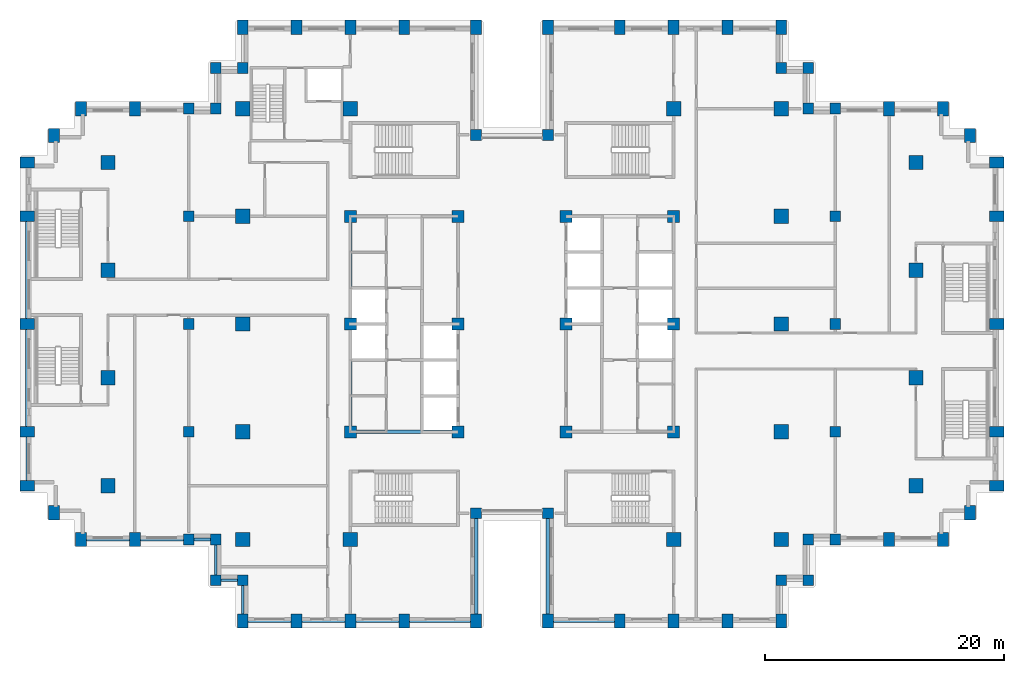
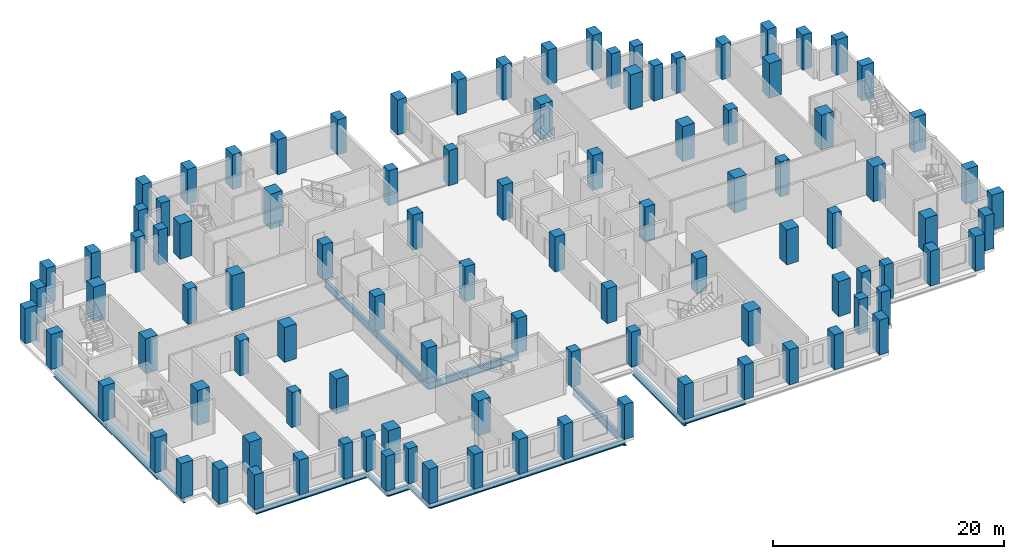
# One storey, part 1 of 15: 102 columns, 19 beams.
"""IFC4 building model written with IfcOpenShell, lengths in metres."""

from ifc_helpers import new_model, si_unit, direction, frame, origin, origin_2d, place, context, subcontext, project, spatial, rectangle, i_section, extrude, material, material_profile, profile_set, type_object, element, save


model = new_model("IFC4")

# Units and contexts
model_context = context("Model", 3, precision=1e-05, world=origin(), true_north=direction((0.0, 1.0)))
body_context = subcontext(model_context, "Body", "Model", "MODEL_VIEW")
ifc_project = project(units=[si_unit("LENGTHUNIT", "METRE"), si_unit("AREAUNIT", "SQUARE_METRE"), si_unit("VOLUMEUNIT", "CUBIC_METRE"), si_unit("PLANEANGLEUNIT", "RADIAN"), si_unit("MASSUNIT", "GRAM", prefix="KILO")], contexts=[model_context])

# Site, building, storey
site_placement = place(None, origin())
site = spatial("IfcSite", under=ifc_project, at=site_placement, CompositionType="ELEMENT")
building_placement = place(site_placement, origin())
building = spatial("IfcBuilding", under=site, at=building_placement, Name="Corbelhall Arena Tower", CompositionType="ELEMENT")
storey_placement = place(building_placement, frame((0.0, 0.0, 80.0)))
storey = spatial("IfcBuildingStorey", under=building, at=storey_placement, Name="L12", CompositionType="ELEMENT", Elevation=80.0)

# Columns
ifc_material_1 = material(Name="Concrete C80/95", Category="concrete")
ifc_material_profile_1 = material_profile(ifc_material_1, rectangle(XDim=1.0, YDim=1.0, at=origin_2d()))
ifc_profile_set_1 = profile_set([ifc_material_profile_1], Name="Concrete C80/95")
column_type_1 = type_object("IfcColumnType", Name="ST-COL-RC 1000x1000", PredefinedType="COLUMN", material=ifc_profile_set_1)
for number, where, z_axis, x_axis, name in (
    (1, (4.5, 0.0, 0.0), (0.0, 0.0, 1.0), (1.0, 0.0, 0.0), "Column KE+0450+0000"),
    (2, (4.5, 9.0, 0.0), (0.0, 0.0, 1.0), (1.0, 0.0, 0.0), "Column KE+0450+0900"),
    (3, (4.5, -9.0, 0.0), (0.0, 0.0, 1.0), (1.0, 0.0, 0.0), "Column KE+0450-0900"),
    (4, (13.5, 0.0, 0.0), (0.0, 0.0, 1.0), (1.0, 0.0, 0.0), "Column KE+1350+0000"),
    (5, (13.5, 9.0, 0.0), (0.0, 0.0, 1.0), (1.0, 0.0, 0.0), "Column KE+1350+0900"),
    (6, (13.5, -9.0, 0.0), (0.0, 0.0, 1.0), (1.0, 0.0, 0.0), "Column KE+1350-0900"),
    (7, (-4.5, 0.0, 0.0), (0.0, 0.0, 1.0), (1.0, 0.0, 0.0), "Column KW-0450+0000"),
    (8, (-4.5, 9.0, 0.0), (0.0, 0.0, 1.0), (1.0, 0.0, 0.0), "Column KW-0450+0900"),
    (9, (-4.5, -9.0, 0.0), (0.0, 0.0, 1.0), (1.0, 0.0, 0.0), "Column KW-0450-0900"),
    (10, (-13.5, 0.0, 0.0), (0.0, 0.0, 1.0), (1.0, 0.0, 0.0), "Column KW-1350+0000"),
    (11, (-13.5, 9.0, 0.0), (0.0, 0.0, 1.0), (1.0, 0.0, 0.0), "Column KW-1350+0900"),
    (12, (-13.5, -9.0, 0.0), (0.0, 0.0, 1.0), (1.0, 0.0, 0.0), "Column KW-1350-0900"),
):
    element("IfcColumn", number, at=place(storey_placement, frame(where, z_axis=z_axis, x_axis=x_axis)), inside=storey, type_object=column_type_1, Name=name, PredefinedType="COLUMN", context=body_context, shape_type="SweptSolid", body=[
        extrude(rectangle(XDim=1.0, YDim=1.0, at=origin_2d()), origin(), (0.0, 0.0, 1.0), 3.699951171875),
    ])
ifc_material_profile_2 = material_profile(ifc_material_1, rectangle(XDim=1.199951171875, YDim=1.199951171875, at=origin_2d()))
ifc_profile_set_2 = profile_set([ifc_material_profile_2], Name="Concrete C80/95")
column_type_2 = type_object("IfcColumnType", Name="ST-COL-RC 1200x1200", PredefinedType="COLUMN", material=ifc_profile_set_2)
for number, where, z_axis, x_axis, name in (
    (13, (-33.75, 4.5, 0.0), (0.0, 0.0, 1.0), (1.0, 0.0, 0.0), "Column FIC+0450"),
    (14, (-33.75, 13.5, 0.0), (0.0, 0.0, 1.0), (1.0, 0.0, 0.0), "Column FIC+1350"),
    (15, (-33.75, -4.5, 0.0), (0.0, 0.0, 1.0), (1.0, 0.0, 0.0), "Column FIC-0450"),
    (16, (-33.75, -13.5, 0.0), (0.0, 0.0, 1.0), (1.0, 0.0, 0.0), "Column FIC-1350"),
    (17, (33.75, 4.5, 0.0), (0.0, 0.0, 1.0), (1.0, 0.0, 0.0), "Column FID+0450"),
    (18, (33.75, 13.5, 0.0), (0.0, 0.0, 1.0), (1.0, 0.0, 0.0), "Column FID+1350"),
    (19, (33.75, -4.5, 0.0), (0.0, 0.0, 1.0), (1.0, 0.0, 0.0), "Column FID-0450"),
    (20, (33.75, -13.5, 0.0), (0.0, 0.0, 1.0), (1.0, 0.0, 0.0), "Column FID-1350"),
    (21, (13.5, 18.0, 0.0), (0.0, 0.0, 1.0), (1.0, 0.0, 0.0), "Column IE13+1800"),
    (22, (13.5, -18.0, 0.0), (0.0, 0.0, 1.0), (1.0, 0.0, 0.0), "Column IE13-1800"),
    (23, (22.5, 0.0, 0.0), (0.0, 0.0, 1.0), (1.0, 0.0, 0.0), "Column IE22+0000"),
    (24, (22.5, 9.0, 0.0), (0.0, 0.0, 1.0), (1.0, 0.0, 0.0), "Column IE22+0900"),
    (25, (22.5, 18.0, 0.0), (0.0, 0.0, 1.0), (1.0, 0.0, 0.0), "Column IE22+1800"),
    (26, (22.5, -9.0, 0.0), (0.0, 0.0, 1.0), (1.0, 0.0, 0.0), "Column IE22-0900"),
    (27, (22.5, -18.0, 0.0), (0.0, 0.0, 1.0), (1.0, 0.0, 0.0), "Column IE22-1800"),
    (28, (-13.5, 18.0, 0.0), (0.0, 0.0, 1.0), (1.0, 0.0, 0.0), "Column IW13+1800"),
    (29, (-13.5, -18.0, 0.0), (0.0, 0.0, 1.0), (1.0, 0.0, 0.0), "Column IW13-1800"),
    (30, (-22.5, 0.0, 0.0), (0.0, 0.0, 1.0), (1.0, 0.0, 0.0), "Column IW22+0000"),
    (31, (-22.5, 9.0, 0.0), (0.0, 0.0, 1.0), (1.0, 0.0, 0.0), "Column IW22+0900"),
    (32, (-22.5, 18.0, 0.0), (0.0, 0.0, 1.0), (1.0, 0.0, 0.0), "Column IW22+1800"),
    (33, (-22.5, -9.0, 0.0), (0.0, 0.0, 1.0), (1.0, 0.0, 0.0), "Column IW22-0900"),
    (34, (-22.5, -18.0, 0.0), (0.0, 0.0, 1.0), (1.0, 0.0, 0.0), "Column IW22-1800"),
):
    element("IfcColumn", number, at=place(storey_placement, frame(where, z_axis=z_axis, x_axis=x_axis)), inside=storey, type_object=column_type_2, Name=name, PredefinedType="COLUMN", context=body_context, shape_type="SweptSolid", body=[
        extrude(rectangle(XDim=1.199951171875, YDim=1.199951171875, at=origin_2d()), origin(), (0.0, 0.0, 1.0), 3.699951171875),
    ])
ifc_material_profile_3 = material_profile(ifc_material_1, rectangle(XDim=0.89990234375, YDim=1.199951171875, at=origin_2d()))
ifc_profile_set_3 = profile_set([ifc_material_profile_3], Name="Concrete C80/95")
column_type_3 = type_object("IfcColumnType", Name="ST-COL-RC 900x1200", PredefinedType="COLUMN", material=ifc_profile_set_3)
for number, where, z_axis, x_axis, name in (
    (35, (-40.5, 0.0, 0.0), (0.0, 0.0, 1.0), (0.0, 1.0, 0.0), "Column FC+0000"),
    (36, (-40.5, 9.0, 0.0), (0.0, 0.0, 1.0), (0.0, 1.0, 0.0), "Column FC+0900"),
    (37, (-40.5, 13.5, 0.0), (0.0, 0.0, 1.0), (0.0, 1.0, 0.0), "Column FC+1350"),
    (38, (-40.5, -9.0, 0.0), (0.0, 0.0, 1.0), (0.0, 1.0, 0.0), "Column FC-0900"),
    (39, (-40.5, -13.5, 0.0), (0.0, 0.0, 1.0), (0.0, 1.0, 0.0), "Column FC-1350"),
    (40, (-38.25, 15.75, 0.0), (0.0, 0.0, 1.0), (1.0, 0.0, 0.0), "Column FCCN"),
    (41, (-38.25, -15.75, 0.0), (0.0, 0.0, 1.0), (1.0, 0.0, 0.0), "Column FCCS"),
    (42, (-31.5, 18.0, 0.0), (0.0, 0.0, 1.0), (1.0, 0.0, 0.0), "Column FCN3150"),
    (43, (-36.0, 18.0, 0.0), (0.0, 0.0, 1.0), (1.0, 0.0, 0.0), "Column FCN3600"),
    (44, (-31.5, -18.0, 0.0), (0.0, 0.0, 1.0), (1.0, 0.0, 0.0), "Column FCS3150"),
    (45, (-36.0, -18.0, 0.0), (0.0, 0.0, 1.0), (1.0, 0.0, 0.0), "Column FCS3600"),
    (46, (40.5, 0.0, 0.0), (0.0, 0.0, 1.0), (0.0, 1.0, 0.0), "Column FD+0000"),
    (47, (40.5, 9.0, 0.0), (0.0, 0.0, 1.0), (0.0, 1.0, 0.0), "Column FD+0900"),
    (48, (40.5, 13.5, 0.0), (0.0, 0.0, 1.0), (0.0, 1.0, 0.0), "Column FD+1350"),
    (49, (40.5, -9.0, 0.0), (0.0, 0.0, 1.0), (0.0, 1.0, 0.0), "Column FD-0900"),
    (50, (40.5, -13.5, 0.0), (0.0, 0.0, 1.0), (0.0, 1.0, 0.0), "Column FD-1350"),
    (51, (38.25, 15.75, 0.0), (0.0, 0.0, 1.0), (1.0, 0.0, 0.0), "Column FDCN"),
    (52, (38.25, -15.75, 0.0), (0.0, 0.0, 1.0), (1.0, 0.0, 0.0), "Column FDCS"),
    (53, (31.5, 18.0, 0.0), (0.0, 0.0, 1.0), (1.0, 0.0, 0.0), "Column FDN3150"),
    (54, (36.0, 18.0, 0.0), (0.0, 0.0, 1.0), (1.0, 0.0, 0.0), "Column FDN3600"),
    (55, (31.5, -18.0, 0.0), (0.0, 0.0, 1.0), (1.0, 0.0, 0.0), "Column FDS3150"),
    (56, (36.0, -18.0, 0.0), (0.0, 0.0, 1.0), (1.0, 0.0, 0.0), "Column FDS3600"),
    (57, (3.0, 24.800048828125, 0.0), (0.0, 0.0, 1.0), (1.0, 0.0, 0.0), "Column PNE0300"),
    (58, (9.0, 24.800048828125, 0.0), (0.0, 0.0, 1.0), (1.0, 0.0, 0.0), "Column PNE0900"),
    (59, (13.5, 24.800048828125, 0.0), (0.0, 0.0, 1.0), (1.0, 0.0, 0.0), "Column PNE1350"),
    (60, (18.0, 24.800048828125, 0.0), (0.0, 0.0, 1.0), (1.0, 0.0, 0.0), "Column PNE1800"),
    (61, (22.5, 24.800048828125, 0.0), (0.0, 0.0, 1.0), (1.0, 0.0, 0.0), "Column PNE2250"),
    (62, (-3.0, 24.800048828125, 0.0), (0.0, 0.0, 1.0), (1.0, 0.0, 0.0), "Column PNW0300"),
    (63, (-9.0, 24.800048828125, 0.0), (0.0, 0.0, 1.0), (1.0, 0.0, 0.0), "Column PNW0900"),
    (64, (-13.5, 24.800048828125, 0.0), (0.0, 0.0, 1.0), (1.0, 0.0, 0.0), "Column PNW1350"),
    (65, (-18.0, 24.800048828125, 0.0), (0.0, 0.0, 1.0), (1.0, 0.0, 0.0), "Column PNW1800"),
    (66, (-22.5, 24.800048828125, 0.0), (0.0, 0.0, 1.0), (1.0, 0.0, 0.0), "Column PNW2250"),
    (67, (3.0, -24.800048828125, 0.0), (0.0, 0.0, 1.0), (1.0, 0.0, 0.0), "Column PSE0300"),
    (68, (9.0, -24.800048828125, 0.0), (0.0, 0.0, 1.0), (1.0, 0.0, 0.0), "Column PSE0900"),
    (69, (13.5, -24.800048828125, 0.0), (0.0, 0.0, 1.0), (1.0, 0.0, 0.0), "Column PSE1350"),
    (70, (18.0, -24.800048828125, 0.0), (0.0, 0.0, 1.0), (1.0, 0.0, 0.0), "Column PSE1800"),
    (71, (22.5, -24.800048828125, 0.0), (0.0, 0.0, 1.0), (1.0, 0.0, 0.0), "Column PSE2250"),
    (72, (-3.0, -24.800048828125, 0.0), (0.0, 0.0, 1.0), (1.0, 0.0, 0.0), "Column PSW0300"),
    (73, (-9.0, -24.800048828125, 0.0), (0.0, 0.0, 1.0), (1.0, 0.0, 0.0), "Column PSW0900"),
    (74, (-13.5, -24.800048828125, 0.0), (0.0, 0.0, 1.0), (1.0, 0.0, 0.0), "Column PSW1350"),
    (75, (-18.0, -24.800048828125, 0.0), (0.0, 0.0, 1.0), (1.0, 0.0, 0.0), "Column PSW1800"),
    (76, (-22.5, -24.800048828125, 0.0), (0.0, 0.0, 1.0), (1.0, 0.0, 0.0), "Column PSW2250"),
):
    element("IfcColumn", number, at=place(storey_placement, frame(where, z_axis=z_axis, x_axis=x_axis)), inside=storey, type_object=column_type_3, Name=name, PredefinedType="COLUMN", context=body_context, shape_type="SweptSolid", body=[
        extrude(rectangle(XDim=0.89990234375, YDim=1.199951171875, at=origin_2d()), origin(), (0.0, 0.0, 1.0), 3.699951171875),
    ])
ifc_material_profile_4 = material_profile(ifc_material_1, rectangle(XDim=0.89990234375, YDim=0.89990234375, at=origin_2d()))
ifc_profile_set_4 = profile_set([ifc_material_profile_4], Name="Concrete C80/95")
column_type_4 = type_object("IfcColumnType", Name="ST-COL-RC 900x900", PredefinedType="COLUMN", material=ifc_profile_set_4)
for number, where, z_axis, x_axis, name in (
    (77, (27.0, 0.0, 0.0), (0.0, 0.0, 1.0), (1.0, 0.0, 0.0), "Column PE+0000"),
    (78, (27.0, 9.0, 0.0), (0.0, 0.0, 1.0), (1.0, 0.0, 0.0), "Column PE+0900"),
    (79, (27.0, 18.0, 0.0), (0.0, 0.0, 1.0), (1.0, 0.0, 0.0), "Column PE+1800"),
    (80, (27.0, -9.0, 0.0), (0.0, 0.0, 1.0), (1.0, 0.0, 0.0), "Column PE-0900"),
    (81, (27.0, -18.0, 0.0), (0.0, 0.0, 1.0), (1.0, 0.0, 0.0), "Column PE-1800"),
    (82, (-27.0, 0.0, 0.0), (0.0, 0.0, 1.0), (1.0, 0.0, 0.0), "Column PW+0000"),
    (83, (-27.0, 9.0, 0.0), (0.0, 0.0, 1.0), (1.0, 0.0, 0.0), "Column PW+0900"),
    (84, (-27.0, 18.0, 0.0), (0.0, 0.0, 1.0), (1.0, 0.0, 0.0), "Column PW+1800"),
    (85, (-27.0, -9.0, 0.0), (0.0, 0.0, 1.0), (1.0, 0.0, 0.0), "Column PW-0900"),
    (86, (-27.0, -18.0, 0.0), (0.0, 0.0, 1.0), (1.0, 0.0, 0.0), "Column PW-1800"),
    (87, (3.0, 15.800048828125, 0.0), (0.0, 0.0, 1.0), (1.0, 0.0, 0.0), "Column SLNE2"),
    (88, (-3.0, 15.800048828125, 0.0), (0.0, 0.0, 1.0), (1.0, 0.0, 0.0), "Column SLNW2"),
    (89, (3.0, -15.800048828125, 0.0), (0.0, 0.0, 1.0), (1.0, 0.0, 0.0), "Column SLSE2"),
    (90, (-3.0, -15.800048828125, 0.0), (0.0, 0.0, 1.0), (1.0, 0.0, 0.0), "Column SLSW2"),
    (91, (22.5, 21.39990234375, 0.0), (0.0, 0.0, 1.0), (1.0, 0.0, 0.0), "Column XNE1"),
    (92, (24.75, 21.39990234375, 0.0), (0.0, 0.0, 1.0), (1.0, 0.0, 0.0), "Column XNE2"),
    (93, (24.75, 18.0, 0.0), (0.0, 0.0, 1.0), (1.0, 0.0, 0.0), "Column XNE3"),
    (94, (-22.5, 21.39990234375, 0.0), (0.0, 0.0, 1.0), (1.0, 0.0, 0.0), "Column XNW1"),
    (95, (-24.75, 21.39990234375, 0.0), (0.0, 0.0, 1.0), (1.0, 0.0, 0.0), "Column XNW2"),
    (96, (-24.75, 18.0, 0.0), (0.0, 0.0, 1.0), (1.0, 0.0, 0.0), "Column XNW3"),
    (97, (22.5, -21.39990234375, 0.0), (0.0, 0.0, 1.0), (1.0, 0.0, 0.0), "Column XSE1"),
    (98, (24.75, -21.39990234375, 0.0), (0.0, 0.0, 1.0), (1.0, 0.0, 0.0), "Column XSE2"),
    (99, (24.75, -18.0, 0.0), (0.0, 0.0, 1.0), (1.0, 0.0, 0.0), "Column XSE3"),
    (100, (-22.5, -21.39990234375, 0.0), (0.0, 0.0, 1.0), (1.0, 0.0, 0.0), "Column XSW1"),
    (101, (-24.75, -21.39990234375, 0.0), (0.0, 0.0, 1.0), (1.0, 0.0, 0.0), "Column XSW2"),
    (102, (-24.75, -18.0, 0.0), (0.0, 0.0, 1.0), (1.0, 0.0, 0.0), "Column XSW3"),
):
    element("IfcColumn", number, at=place(storey_placement, frame(where, z_axis=z_axis, x_axis=x_axis)), inside=storey, type_object=column_type_4, Name=name, PredefinedType="COLUMN", context=body_context, shape_type="SweptSolid", body=[
        extrude(rectangle(XDim=0.89990234375, YDim=0.89990234375, at=origin_2d()), origin(), (0.0, 0.0, 1.0), 3.699951171875),
    ])

# Beams
ifc_material_2 = material(Name="Steel ASTM A992 Gr50", Category="steel")
ifc_material_profile_5 = material_profile(ifc_material_2, i_section(OverallWidth=0.2666015625, OverallDepth=0.761962890625, WebThickness=0.014404296875, FlangeThickness=0.021484375, at=origin_2d()))
ifc_profile_set_5 = profile_set([ifc_material_profile_5], Name="Steel ASTM A992 Gr50")
beam_type_1 = type_object("IfcBeamType", Name="ST-BEAM-W30x116", PredefinedType="BEAM", material=ifc_profile_set_5)
for number, where, z_axis, x_axis, name in (
    (103, (-13.5, -9.0, -0.680908203125), (0.0, 1.0, 0.0), (-1.0, 0.0, 0.0), "Beam CEW 1"),
    (104, (-13.5, 0.0, -0.680908203125), (0.0, 1.0, 0.0), (-1.0, 0.0, 0.0), "Beam CEW 2"),
    (105, (-13.5, -9.0, -0.680908203125), (1.0, 0.0, 0.0), (0.0, 1.0, 0.0), "Beam CEW 5"),
):
    element("IfcBeam", number, at=place(storey_placement, frame(where, z_axis=z_axis, x_axis=x_axis)), inside=storey, type_object=beam_type_1, Name=name, PredefinedType="BEAM", context=body_context, shape_type="SweptSolid", body=[
        extrude(i_section(OverallWidth=0.2666015625, OverallDepth=0.761962890625, WebThickness=0.014404296875, FlangeThickness=0.021484375, at=origin_2d()), origin(), (0.0, 0.0, 1.0), 9.0),
    ])
ifc_material_profile_6 = material_profile(ifc_material_2, i_section(OverallWidth=0.23046875, OverallDepth=0.6171875, WebThickness=0.01318359375, FlangeThickness=0.022216796875, at=origin_2d()))
ifc_profile_set_6 = profile_set([ifc_material_profile_6], Name="Steel ASTM A992 Gr50")
beam_type_2 = type_object("IfcBeamType", Name="ST-SPANDREL-W24x94", PredefinedType="SPANDREL", material=ifc_profile_set_6)
for number, where, z_axis, x_axis, name in (
    (106, (-40.5, -13.5, -0.608642578125), (0.0, 1.0, 0.0), (-1.0, 0.0, 0.0), "Beam SP 4"),
    (107, (-31.5, -18.0, -0.608642578125), (-1.0, 0.0, 0.0), (0.0, -1.0, 0.0), "Beam SP 7"),
):
    element("IfcBeam", number, at=place(storey_placement, frame(where, z_axis=z_axis, x_axis=x_axis)), inside=storey, type_object=beam_type_2, Name=name, PredefinedType="SPANDREL", context=body_context, shape_type="SweptSolid", body=[
        extrude(i_section(OverallWidth=0.23046875, OverallDepth=0.6171875, WebThickness=0.01318359375, FlangeThickness=0.022216796875, at=origin_2d()), origin(), (0.0, 0.0, 1.0), 4.5),
    ])
for number, where, z_axis, x_axis, name in (
    (108, (9.0, -24.800048828125, -0.608642578125), (-1.0, 0.0, 0.0), (0.0, -1.0, 0.0), "Beam SP 28"),
    (109, (-3.0, -24.800048828125, -0.608642578125), (-1.0, 0.0, 0.0), (0.0, -1.0, 0.0), "Beam SP 32"),
):
    element("IfcBeam", number, at=place(storey_placement, frame(where, z_axis=z_axis, x_axis=x_axis)), inside=storey, type_object=beam_type_2, Name=name, PredefinedType="SPANDREL", context=body_context, shape_type="SweptSolid", body=[
        extrude(i_section(OverallWidth=0.23046875, OverallDepth=0.6171875, WebThickness=0.01318359375, FlangeThickness=0.022216796875, at=origin_2d()), origin(), (0.0, 0.0, 1.0), 6.0),
    ])
for number, where, z_axis, x_axis, name in (
    (110, (-9.0, -24.800048828125, -0.608642578125), (-1.0, 0.0, 0.0), (0.0, -1.0, 0.0), "Beam SP 33"),
    (111, (-13.5, -24.800048828125, -0.608642578125), (-1.0, 0.0, 0.0), (0.0, -1.0, 0.0), "Beam SP 34"),
    (112, (-18.0, -24.800048828125, -0.608642578125), (-1.0, 0.0, 0.0), (0.0, -1.0, 0.0), "Beam SP 35"),
):
    element("IfcBeam", number, at=place(storey_placement, frame(where, z_axis=z_axis, x_axis=x_axis)), inside=storey, type_object=beam_type_2, Name=name, PredefinedType="SPANDREL", context=body_context, shape_type="SweptSolid", body=[
        extrude(i_section(OverallWidth=0.23046875, OverallDepth=0.6171875, WebThickness=0.01318359375, FlangeThickness=0.022216796875, at=origin_2d()), origin(), (0.0, 0.0, 1.0), 4.5),
    ])
beam_1_placement = place(storey_placement, frame((-22.5, -24.800048828125, -0.608642578125), z_axis=(0.0, 1.0, 0.0), x_axis=(-1.0, 0.0, 0.0)))
element("IfcBeam", 113, at=beam_1_placement, inside=storey, type_object=beam_type_2, Name="Beam SP 36", PredefinedType="SPANDREL", context=body_context, shape_type="SweptSolid", body=[
    extrude(i_section(OverallWidth=0.23046875, OverallDepth=0.6171875, WebThickness=0.01318359375, FlangeThickness=0.022216796875, at=origin_2d()), origin(), (0.0, 0.0, 1.0), 3.400146484375),
])
beam_2_placement = place(storey_placement, frame((-27.0, -18.0, -0.608642578125), z_axis=(-1.0, 0.0, 0.0), x_axis=(0.0, -1.0, 0.0)))
element("IfcBeam", 114, at=beam_2_placement, inside=storey, type_object=beam_type_2, Name="Beam SP 38", PredefinedType="SPANDREL", context=body_context, shape_type="SweptSolid", body=[
    extrude(i_section(OverallWidth=0.23046875, OverallDepth=0.6171875, WebThickness=0.01318359375, FlangeThickness=0.022216796875, at=origin_2d()), origin(), (0.0, 0.0, 1.0), 4.5),
])
beam_3_placement = place(storey_placement, frame((-22.5, -21.39990234375, -0.608642578125), z_axis=(-1.0, 0.0, 0.0), x_axis=(0.0, -1.0, 0.0)))
element("IfcBeam", 115, at=beam_3_placement, inside=storey, type_object=beam_type_2, Name="Beam SP 52", PredefinedType="SPANDREL", context=body_context, shape_type="SweptSolid", body=[
    extrude(i_section(OverallWidth=0.23046875, OverallDepth=0.6171875, WebThickness=0.01318359375, FlangeThickness=0.022216796875, at=origin_2d()), origin(), (0.0, 0.0, 1.0), 2.25),
])
beam_4_placement = place(storey_placement, frame((-24.75, -21.39990234375, -0.608642578125), z_axis=(0.0, 1.0, 0.0), x_axis=(-1.0, 0.0, 0.0)))
element("IfcBeam", 116, at=beam_4_placement, inside=storey, type_object=beam_type_2, Name="Beam SP 53", PredefinedType="SPANDREL", context=body_context, shape_type="SweptSolid", body=[
    extrude(i_section(OverallWidth=0.23046875, OverallDepth=0.6171875, WebThickness=0.01318359375, FlangeThickness=0.022216796875, at=origin_2d()), origin(), (0.0, 0.0, 1.0), 3.39990234375),
])
beam_5_placement = place(storey_placement, frame((-24.75, -18.0, -0.608642578125), z_axis=(-1.0, 0.0, 0.0), x_axis=(0.0, -1.0, 0.0)))
element("IfcBeam", 117, at=beam_5_placement, inside=storey, type_object=beam_type_2, Name="Beam SP 54", PredefinedType="SPANDREL", context=body_context, shape_type="SweptSolid", body=[
    extrude(i_section(OverallWidth=0.23046875, OverallDepth=0.6171875, WebThickness=0.01318359375, FlangeThickness=0.022216796875, at=origin_2d()), origin(), (0.0, 0.0, 1.0), 2.25),
])
ifc_material_profile_7 = material_profile(ifc_material_2, i_section(OverallWidth=0.2919921875, OverallDepth=0.845703125, WebThickness=0.015380859375, FlangeThickness=0.0244140625, at=origin_2d()))
ifc_profile_set_7 = profile_set([ifc_material_profile_7], Name="Steel ASTM A992 Gr50")
beam_type_3 = type_object("IfcBeamType", Name="ST-SPANDREL-W33x141", PredefinedType="SPANDREL", material=ifc_profile_set_7)
for number, where, z_axis, x_axis, name in (
    (118, (-40.5, 0.0, -0.722900390625), (0.0, 1.0, 0.0), (-1.0, 0.0, 0.0), "Beam SP 1"),
    (119, (-40.5, -9.0, -0.722900390625), (0.0, 1.0, 0.0), (-1.0, 0.0, 0.0), "Beam SP 3"),
    (120, (3.0, -24.800048828125, -0.722900390625), (0.0, 1.0, 0.0), (-1.0, 0.0, 0.0), "Beam SP 27"),
    (121, (-3.0, -15.800048828125, -0.722900390625), (0.0, -1.0, 0.0), (1.0, 0.0, 0.0), "Beam SP 42"),
):
    element("IfcBeam", number, at=place(storey_placement, frame(where, z_axis=z_axis, x_axis=x_axis)), inside=storey, type_object=beam_type_3, Name=name, PredefinedType="SPANDREL", context=body_context, shape_type="SweptSolid", body=[
        extrude(i_section(OverallWidth=0.2919921875, OverallDepth=0.845703125, WebThickness=0.015380859375, FlangeThickness=0.0244140625, at=origin_2d()), origin(), (0.0, 0.0, 1.0), 9.0),
    ])

save(model, "model.ifc")
